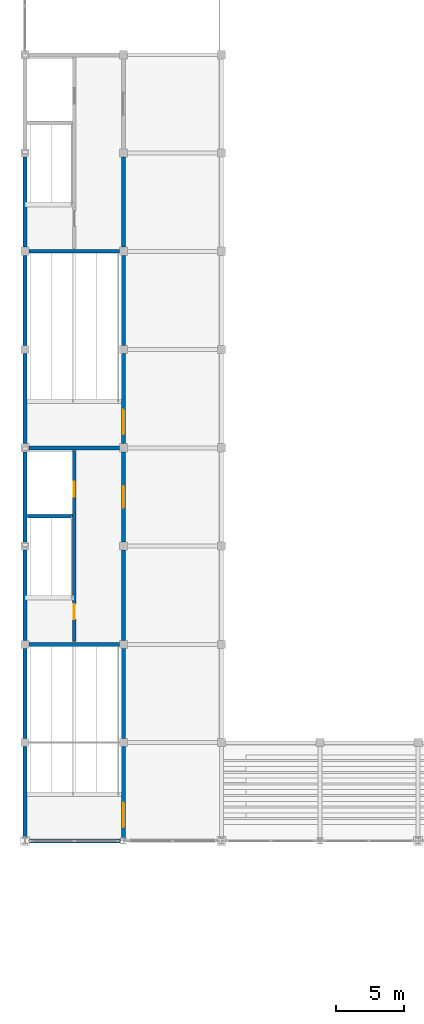
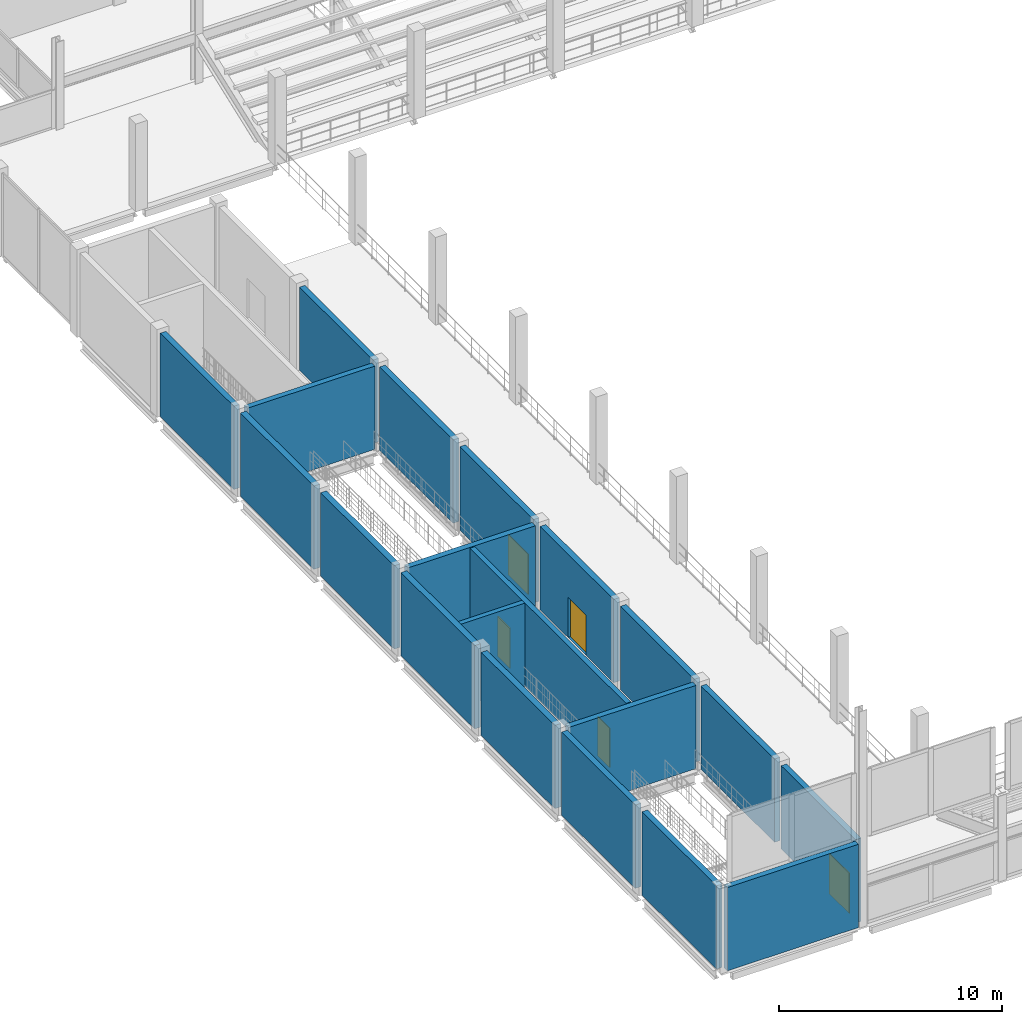
# One storey, part 92 of 120: 20 walls, 5 doors, 5 openings.
"""IFC4 building model written with IfcOpenShell, lengths in metres."""

from ifc_helpers import new_model, si_unit, direction, frame, frame_2d, origin, place, context, subcontext, project, spatial, rectangle, extrude, material, layer, layer_set, type_object, element, fill, save


model = new_model("IFC4")

# Units and contexts
model_context = context("Model", 3, precision=1e-05, world=origin(), true_north=direction((0.0, 1.0)))
body_context = subcontext(model_context, "Body", "Model", "MODEL_VIEW")
ifc_project = project(units=[si_unit("LENGTHUNIT", "METRE"), si_unit("AREAUNIT", "SQUARE_METRE"), si_unit("VOLUMEUNIT", "CUBIC_METRE"), si_unit("PLANEANGLEUNIT", "RADIAN"), si_unit("MASSUNIT", "GRAM", prefix="KILO")], contexts=[model_context])

# Site, building, storey
site_placement = place(None, origin())
site = spatial("IfcSite", under=ifc_project, at=site_placement, CompositionType="ELEMENT")
building_placement = place(site_placement, origin())
building = spatial("IfcBuilding", under=site, at=building_placement, Name="Vesperath Aquatics Centre", CompositionType="ELEMENT")
storey_placement = place(building_placement, frame((0.0, 0.0, 10.199951171875)))
storey = spatial("IfcBuildingStorey", under=building, at=storey_placement, Name="L02", CompositionType="ELEMENT", Elevation=10.199951171875)

# Walls
ifc_material_1 = material(Name="Concrete C40", Category="concrete")
ifc_layer_1 = layer(ifc_material_1, 0.300048828125)
ifc_layer_set_1 = layer_set([ifc_layer_1], Name="Concrete C40")
wall_type_1 = type_object("IfcWallType", Name="WL-SW01", PredefinedType="SHEAR", material=ifc_layer_set_1)
for number, where, z_axis, x_axis, name in (
    (1, (0.300048828125, 28.800048828125, 0.0), (0.0, 0.0, 1.0), (1.0, 0.0, 0.0), "Core C1 South Shear Wall SW01 L02"),
    (2, (0.300048828125, 43.199951171875, 0.0), (0.0, 0.0, 1.0), (1.0, 0.0, 0.0), "Core C1 North Shear Wall SW01 L02"),
    (3, (7.199951171875, 29.10009765625, 0.0), (0.0, 0.0, 1.0), (0.0, 1.0, 0.0), "Core C1 East-1 Shear Wall SW01 L02"),
):
    element("IfcWall", number, at=place(storey_placement, frame(where, z_axis=z_axis, x_axis=x_axis)), inside=storey, type_object=wall_type_1, Name=name, PredefinedType="SHEAR", context=body_context, shape_type="SweptSolid", body=[
        extrude(rectangle(XDim=6.599853515625, YDim=0.300048828125, at=frame_2d((3.2998046875, 0.0))), origin(), (0.0, 0.0, 1.0), 4.56005859375),
    ])

# Wall, opening, door
wall_1_placement = place(storey_placement, frame((7.199951171875, 36.300048828125, 0.0), z_axis=(0.0, 0.0, 1.0), x_axis=(0.0, 1.0, 0.0)))
wall_1 = element("IfcWall", 4, at=wall_1_placement, inside=storey, type_object=wall_type_1, Name="Core C1 East-2 Shear Wall SW01 L02", PredefinedType="SHEAR", context=body_context, shape_type="SweptSolid", body=[
    extrude(rectangle(XDim=6.599853515625, YDim=0.300048828125, at=frame_2d((3.2998046875, 0.0))), origin(), (0.0, 0.0, 1.0), 4.56005859375),
])
opening_1_placement = place(wall_1_placement, frame((2.5, 0.0, 0.0)))
opening_1 = element("IfcOpeningElement", 5, at=opening_1_placement, cuts=wall_1, Name="Opening D02", PredefinedType="OPENING", context=body_context, shape_type="SweptSolid", body=[
    extrude(rectangle(XDim=1.60009765625, YDim=2.199951171875, at=frame_2d((0.800048828125, 1.10009765625))), frame((0.0, 0.1650390625, 0.0), z_axis=(0.0, -1.0, 0.0), x_axis=(1.0, 0.0, 0.0)), (0.0, 0.0, 1.0), 0.329833984375),
])
ifc_material_2 = material(Name="Glazed fire-rated lobby double door", Category="steel")
door_type_1 = type_object("IfcDoorType", Name="DR-FD02", OperationType="DOUBLE_SWING_LEFT", PredefinedType="DOOR", material=ifc_material_2)
door_1_placement = place(opening_1_placement, frame((1.60009765625, 0.0, 0.0), z_axis=(0.0, 0.0, 1.0), x_axis=(-1.0, 0.0, 0.0)))
door_1 = element("IfcDoor", 6, at=door_1_placement, inside=storey, type_object=door_type_1, Name="Core C1 Lobby Fire Door D02 L02", OperationType="DOUBLE_SWING_LEFT", OverallHeight=2.199951171875, OverallWidth=1.60009765625, PredefinedType="DOOR", context=body_context, shape_type="SweptSolid", body=[
    extrude(rectangle(XDim=1.60009765625, YDim=2.199951171875, at=frame_2d((0.800048828125, 1.10009765625))), frame((0.0, 0.02490234375, 0.0), z_axis=(0.0, -1.0, 0.0), x_axis=(1.0, 0.0, 0.0)), (0.0, 0.0, 1.0), 0.050048828125),
])
fill(opening_1, door_1)

wall_2_placement = place(storey_placement, frame((7.199951171875, 43.5, 0.0), z_axis=(0.0, 0.0, 1.0), x_axis=(0.0, 1.0, 0.0)))
wall_2 = element("IfcWall", 7, at=wall_2_placement, inside=storey, type_object=wall_type_1, Name="Core C11 East-1 Shear Wall SW01 L02", PredefinedType="SHEAR", context=body_context, shape_type="SweptSolid", body=[
    extrude(rectangle(XDim=6.60009765625, YDim=0.300048828125, at=frame_2d((3.300048828125, 0.0))), origin(), (0.0, 0.0, 1.0), 4.56005859375),
])
opening_2_placement = place(wall_2_placement, frame((0.699951171875, 0.0, 0.0)))
opening_2 = element("IfcOpeningElement", 8, at=opening_2_placement, cuts=wall_2, Name="Opening D03", PredefinedType="OPENING", context=body_context, shape_type="SweptSolid", body=[
    extrude(rectangle(XDim=1.800048828125, YDim=2.199951171875, at=frame_2d((0.89990234375, 1.10009765625))), frame((0.0, 0.1650390625, 0.0), z_axis=(0.0, -1.0, 0.0), x_axis=(1.0, 0.0, 0.0)), (0.0, 0.0, 1.0), 0.329833984375),
])
ifc_material_3 = material(Name="Corridor smoke-control double fire door", Category="steel")
door_type_2 = type_object("IfcDoorType", Name="DR-FD03", OperationType="DOUBLE_SWING_LEFT", PredefinedType="DOOR", material=ifc_material_3)
door_2_placement = place(opening_2_placement, origin())
door_2 = element("IfcDoor", 9, at=door_2_placement, inside=storey, type_object=door_type_2, Name="Stair ST11 Fire Door D03 L02", OperationType="DOUBLE_SWING_LEFT", OverallHeight=2.199951171875, OverallWidth=1.800048828125, PredefinedType="DOOR", context=body_context, shape_type="SweptSolid", body=[
    extrude(rectangle(XDim=1.800048828125, YDim=2.199951171875, at=frame_2d((0.89990234375, 1.10009765625))), frame((0.0, 0.02490234375, 0.0), z_axis=(0.0, -1.0, 0.0), x_axis=(1.0, 0.0, 0.0)), (0.0, 0.0, 1.0), 0.050048828125),
])
fill(opening_2, door_2)

# Walls
wall_3_placement = place(storey_placement, frame((7.199951171875, 50.699951171875, 0.0), z_axis=(0.0, 0.0, 1.0), x_axis=(0.0, 1.0, 0.0)))
element("IfcWall", 10, at=wall_3_placement, inside=storey, type_object=wall_type_1, Name="Core C11 East-2 Shear Wall SW01 L02", PredefinedType="SHEAR", context=body_context, shape_type="SweptSolid", body=[
    extrude(rectangle(XDim=6.60009765625, YDim=0.300048828125, at=frame_2d((3.300048828125, 0.0))), origin(), (0.0, 0.0, 1.0), 4.56005859375),
])
ifc_layer_2 = layer(ifc_material_1, 0.280029296875)
ifc_layer_set_2 = layer_set([ifc_layer_2], Name="Concrete C40")
wall_type_2 = type_object("IfcWallType", Name="WL-SW02", PredefinedType="SHEAR", material=ifc_layer_set_2)
wall_4_placement = place(storey_placement, frame((0.300048828125, 57.60009765625, 0.0), z_axis=(0.0, 0.0, 1.0), x_axis=(1.0, 0.0, 0.0)))
element("IfcWall", 11, at=wall_4_placement, inside=storey, type_object=wall_type_2, Name="Core C2 South Shear Wall SW02 L02", PredefinedType="SHEAR", context=body_context, shape_type="SweptSolid", body=[
    extrude(rectangle(XDim=6.599853515625, YDim=0.280029296875, at=frame_2d((3.2998046875, 0.0))), origin(), (0.0, 0.0, 1.0), 4.56005859375),
])
wall_5_placement = place(storey_placement, frame((7.199951171875, 57.89990234375, 0.0), z_axis=(0.0, 0.0, 1.0), x_axis=(0.0, 1.0, 0.0)))
element("IfcWall", 12, at=wall_5_placement, inside=storey, type_object=wall_type_2, Name="Core C2 East-1 Shear Wall SW02 L02", PredefinedType="SHEAR", context=body_context, shape_type="SweptSolid", body=[
    extrude(rectangle(XDim=6.60009765625, YDim=0.280029296875, at=frame_2d((3.300048828125, 0.0))), origin(), (0.0, 0.0, 1.0), 4.56005859375),
])

# Wall, opening, door
wall_6_placement = place(storey_placement, frame((7.199951171875, 14.614013671875, 0.0), z_axis=(0.0, 0.0, 1.0), x_axis=(0.0, 1.0, 0.0)))
wall_6 = element("IfcWall", 13, at=wall_6_placement, inside=storey, type_object=wall_type_2, Name="Core C10 East-1 Shear Wall SW02 L02", PredefinedType="SHEAR", context=body_context, shape_type="SweptSolid", body=[
    extrude(rectangle(XDim=6.68603515625, YDim=0.280029296875, at=frame_2d((3.343017578125, 0.0))), origin(), (0.0, 0.0, 1.0), 4.56005859375),
])
opening_3_placement = place(wall_6_placement, frame((0.785888671875, 0.0, 0.0)))
opening_3 = element("IfcOpeningElement", 14, at=opening_3_placement, cuts=wall_6, Name="Opening D03", PredefinedType="OPENING", context=body_context, shape_type="SweptSolid", body=[
    extrude(rectangle(XDim=1.800048828125, YDim=2.199951171875, at=frame_2d((0.89990234375, 1.10009765625))), frame((0.0, 0.15478515625, 0.0), z_axis=(0.0, -1.0, 0.0), x_axis=(1.0, 0.0, 0.0)), (0.0, 0.0, 1.0), 0.309814453125),
])
door_3_placement = place(opening_3_placement, origin())
door_3 = element("IfcDoor", 15, at=door_3_placement, inside=storey, type_object=door_type_2, Name="Stair ST10 Fire Door D03 L02", OperationType="DOUBLE_SWING_LEFT", OverallHeight=2.199951171875, OverallWidth=1.800048828125, PredefinedType="DOOR", context=body_context, shape_type="SweptSolid", body=[
    extrude(rectangle(XDim=1.800048828125, YDim=2.199951171875, at=frame_2d((0.89990234375, 1.10009765625))), frame((0.0, 0.02490234375, 0.0), z_axis=(0.0, -1.0, 0.0), x_axis=(1.0, 0.0, 0.0)), (0.0, 0.0, 1.0), 0.050048828125),
])
fill(opening_3, door_3)

# Wall
wall_7_placement = place(storey_placement, frame((7.199951171875, 21.89990234375, 0.0), z_axis=(0.0, 0.0, 1.0), x_axis=(0.0, 1.0, 0.0)))
element("IfcWall", 16, at=wall_7_placement, inside=storey, type_object=wall_type_2, Name="Core C10 East-2 Shear Wall SW02 L02", PredefinedType="SHEAR", context=body_context, shape_type="SweptSolid", body=[
    extrude(rectangle(XDim=6.60009765625, YDim=0.280029296875, at=frame_2d((3.300048828125, 0.0))), origin(), (0.0, 0.0, 1.0), 4.56005859375),
])

# Wall, openings, doors
ifc_layer_3 = layer(ifc_material_1, 0.260009765625)
ifc_layer_set_3 = layer_set([ifc_layer_3], Name="Concrete C40")
wall_type_3 = type_object("IfcWallType", Name="WL-SW03", PredefinedType="SHEAR", material=ifc_layer_set_3)
wall_8_placement = place(storey_placement, frame((3.60009765625, 29.0, 0.0), z_axis=(0.0, 0.0, 1.0), x_axis=(0.0, 1.0, 0.0)))
wall_8 = element("IfcWall", 17, at=wall_8_placement, inside=storey, type_object=wall_type_3, Name="Core C1 Spine Shear Wall SW03 L02", PredefinedType="SHEAR", context=body_context, shape_type="SweptSolid", body=[
    extrude(rectangle(XDim=14.0, YDim=0.260009765625, at=frame_2d((7.0, 0.0))), origin(), (0.0, 0.0, 1.0), 4.56005859375),
])
opening_4_placement = place(wall_8_placement, frame((1.64990234375, 0.0, 0.0)))
opening_4 = element("IfcOpeningElement", 18, at=opening_4_placement, cuts=wall_8, Name="Opening D01", PredefinedType="OPENING", context=body_context, shape_type="SweptSolid", body=[
    extrude(rectangle(XDim=1.10009765625, YDim=2.14990234375, at=frame_2d((0.550048828125, 1.074951171875))), frame((0.0, 0.14501953125, 0.0), z_axis=(0.0, -1.0, 0.0), x_axis=(1.0, 0.0, 0.0)), (0.0, 0.0, 1.0), 0.289794921875),
])
opening_5_placement = place(wall_8_placement, frame((10.60009765625, 0.0, 0.0)))
opening_5 = element("IfcOpeningElement", 19, at=opening_5_placement, cuts=wall_8, Name="Opening LD01", PredefinedType="OPENING", context=body_context, shape_type="SweptSolid", body=[
    extrude(rectangle(XDim=1.10009765625, YDim=2.199951171875, at=frame_2d((0.550048828125, 1.10009765625))), frame((0.0, 0.14501953125, 0.0), z_axis=(0.0, -1.0, 0.0), x_axis=(1.0, 0.0, 0.0)), (0.0, 0.0, 1.0), 0.289794921875),
])
ifc_material_4 = material(Name="Steel-faced acoustic fire door", Category="steel")
door_type_3 = type_object("IfcDoorType", Name="DR-FD01", OperationType="NOTDEFINED", PredefinedType="DOOR", material=ifc_material_4)
door_4_placement = place(opening_4_placement, origin())
door_4 = element("IfcDoor", 20, at=door_4_placement, inside=storey, type_object=door_type_3, Name="Stair ST1 Fire Door D01 L02", OperationType="SINGLE_SWING_RIGHT", OverallHeight=2.14990234375, OverallWidth=1.10009765625, PredefinedType="DOOR", context=body_context, shape_type="SweptSolid", body=[
    extrude(rectangle(XDim=1.10009765625, YDim=2.14990234375, at=frame_2d((0.550048828125, 1.074951171875))), frame((0.0, 0.02490234375, 0.0), z_axis=(0.0, -1.0, 0.0), x_axis=(1.0, 0.0, 0.0)), (0.0, 0.0, 1.0), 0.050048828125),
])
fill(opening_4, door_4)
ifc_material_5 = material(Name="Brushed stainless steel lift landing door", Category="steel")
door_type_4 = type_object("IfcDoorType", Name="DR-LD01", OperationType="SLIDING_TO_LEFT", PredefinedType="DOOR", material=ifc_material_5)
door_5_placement = place(opening_5_placement, frame((1.10009765625, 0.0, 0.0), z_axis=(0.0, 0.0, 1.0), x_axis=(-1.0, 0.0, 0.0)))
door_5 = element("IfcDoor", 21, at=door_5_placement, inside=storey, type_object=door_type_4, Name="Lift LFT-P1 Sliding Landing Door LD01 L02", OperationType="SLIDING_TO_LEFT", OverallHeight=2.199951171875, OverallWidth=1.10009765625, PredefinedType="DOOR", context=body_context, shape_type="SweptSolid", body=[
    extrude(rectangle(XDim=1.10009765625, YDim=2.199951171875, at=frame_2d((0.550048828125, 1.10009765625))), frame((0.0, 0.02490234375, 0.0), z_axis=(0.0, -1.0, 0.0), x_axis=(1.0, 0.0, 0.0)), (0.0, 0.0, 1.0), 0.050048828125),
])
fill(opening_5, door_5)

# Walls
ifc_layer_4 = layer(ifc_material_1, 0.25)
ifc_layer_set_4 = layer_set([ifc_layer_4], Name="Concrete C40")
wall_type_4 = type_object("IfcWallType", Name="WL-SW04", PredefinedType="SHEAR", material=ifc_layer_set_4)
wall_9_placement = place(storey_placement, frame((0.159912109375, 38.179931640625, 0.0), z_axis=(0.0, 0.0, 1.0), x_axis=(1.0, 0.0, 0.0)))
element("IfcWall", 22, at=wall_9_placement, inside=storey, type_object=wall_type_4, Name="Core C1 Lift Shaft Wall SW04 L02", PredefinedType="SHEAR", context=body_context, shape_type="SweptSolid", body=[
    extrude(rectangle(XDim=3.300048828125, YDim=0.25, at=frame_2d((1.64990234375, 0.0))), origin(), (0.0, 0.0, 1.0), 4.56005859375),
])
ifc_layer_5 = layer(ifc_material_1, 0.31005859375)
ifc_layer_set_5 = layer_set([ifc_layer_5], Name="Concrete C40")
wall_type_5 = type_object("IfcWallType", Name="WL-SW05", PredefinedType="SHEAR", material=ifc_layer_set_5)
for number, where, z_axis, x_axis, name in (
    (23, (0.0, 29.10009765625, 0.0), (0.0, 0.0, 1.0), (0.0, 1.0, 0.0), "Core C1 West-1 Shear Wall SW05 L02"),
    (24, (0.0, 36.300048828125, 0.0), (0.0, 0.0, 1.0), (0.0, 1.0, 0.0), "Core C1 West-2 Shear Wall SW05 L02"),
):
    element("IfcWall", number, at=place(storey_placement, frame(where, z_axis=z_axis, x_axis=x_axis)), inside=storey, type_object=wall_type_5, Name=name, PredefinedType="SHEAR", context=body_context, shape_type="SweptSolid", body=[
        extrude(rectangle(XDim=6.599853515625, YDim=0.31005859375, at=frame_2d((3.2998046875, 0.0))), origin(), (0.0, 0.0, 1.0), 4.56005859375),
    ])
for number, where, z_axis, x_axis, name in (
    (25, (0.0, 43.5, 0.0), (0.0, 0.0, 1.0), (0.0, 1.0, 0.0), "Core C11 West-1 Shear Wall SW05 L02"),
    (26, (0.0, 50.699951171875, 0.0), (0.0, 0.0, 1.0), (0.0, 1.0, 0.0), "Core C11 West-2 Shear Wall SW05 L02"),
):
    element("IfcWall", number, at=place(storey_placement, frame(where, z_axis=z_axis, x_axis=x_axis)), inside=storey, type_object=wall_type_5, Name=name, PredefinedType="SHEAR", context=body_context, shape_type="SweptSolid", body=[
        extrude(rectangle(XDim=6.60009765625, YDim=0.31005859375, at=frame_2d((3.300048828125, 0.0))), origin(), (0.0, 0.0, 1.0), 4.56005859375),
    ])
ifc_layer_6 = layer(ifc_material_1, 0.2900390625)
ifc_layer_set_6 = layer_set([ifc_layer_6], Name="Concrete C40")
wall_type_6 = type_object("IfcWallType", Name="WL-SW06", PredefinedType="SHEAR", material=ifc_layer_set_6)
wall_10_placement = place(storey_placement, frame((0.0, 57.89990234375, 0.0), z_axis=(0.0, 0.0, 1.0), x_axis=(0.0, 1.0, 0.0)))
element("IfcWall", 27, at=wall_10_placement, inside=storey, type_object=wall_type_6, Name="Core C2 West-1 Shear Wall SW06 L02", PredefinedType="SHEAR", context=body_context, shape_type="SweptSolid", body=[
    extrude(rectangle(XDim=6.60009765625, YDim=0.2900390625, at=frame_2d((3.300048828125, 0.0))), origin(), (0.0, 0.0, 1.0), 4.56005859375),
])
wall_11_placement = place(storey_placement, frame((0.20361328125, 14.39990234375, 0.0), z_axis=(0.0, 0.0, 1.0), x_axis=(1.0, 0.0, 0.0)))
element("IfcWall", 28, at=wall_11_placement, inside=storey, type_object=wall_type_6, Name="Core C10 South Shear Wall SW06 L02", PredefinedType="SHEAR", context=body_context, shape_type="SweptSolid", body=[
    extrude(rectangle(XDim=6.79296875, YDim=0.2900390625, at=frame_2d((3.396484375, 0.0))), origin(), (0.0, 0.0, 1.0), 4.56005859375),
])
wall_12_placement = place(storey_placement, frame((0.0, 14.614013671875, 0.0), z_axis=(0.0, 0.0, 1.0), x_axis=(0.0, 1.0, 0.0)))
element("IfcWall", 29, at=wall_12_placement, inside=storey, type_object=wall_type_6, Name="Core C10 West-1 Shear Wall SW06 L02", PredefinedType="SHEAR", context=body_context, shape_type="SweptSolid", body=[
    extrude(rectangle(XDim=6.68603515625, YDim=0.2900390625, at=frame_2d((3.343017578125, 0.0))), origin(), (0.0, 0.0, 1.0), 4.56005859375),
])
wall_13_placement = place(storey_placement, frame((0.0, 21.89990234375, 0.0), z_axis=(0.0, 0.0, 1.0), x_axis=(0.0, 1.0, 0.0)))
element("IfcWall", 30, at=wall_13_placement, inside=storey, type_object=wall_type_6, Name="Core C10 West-2 Shear Wall SW06 L02", PredefinedType="SHEAR", context=body_context, shape_type="SweptSolid", body=[
    extrude(rectangle(XDim=6.60009765625, YDim=0.2900390625, at=frame_2d((3.300048828125, 0.0))), origin(), (0.0, 0.0, 1.0), 4.56005859375),
])

save(model, "model.ifc")
